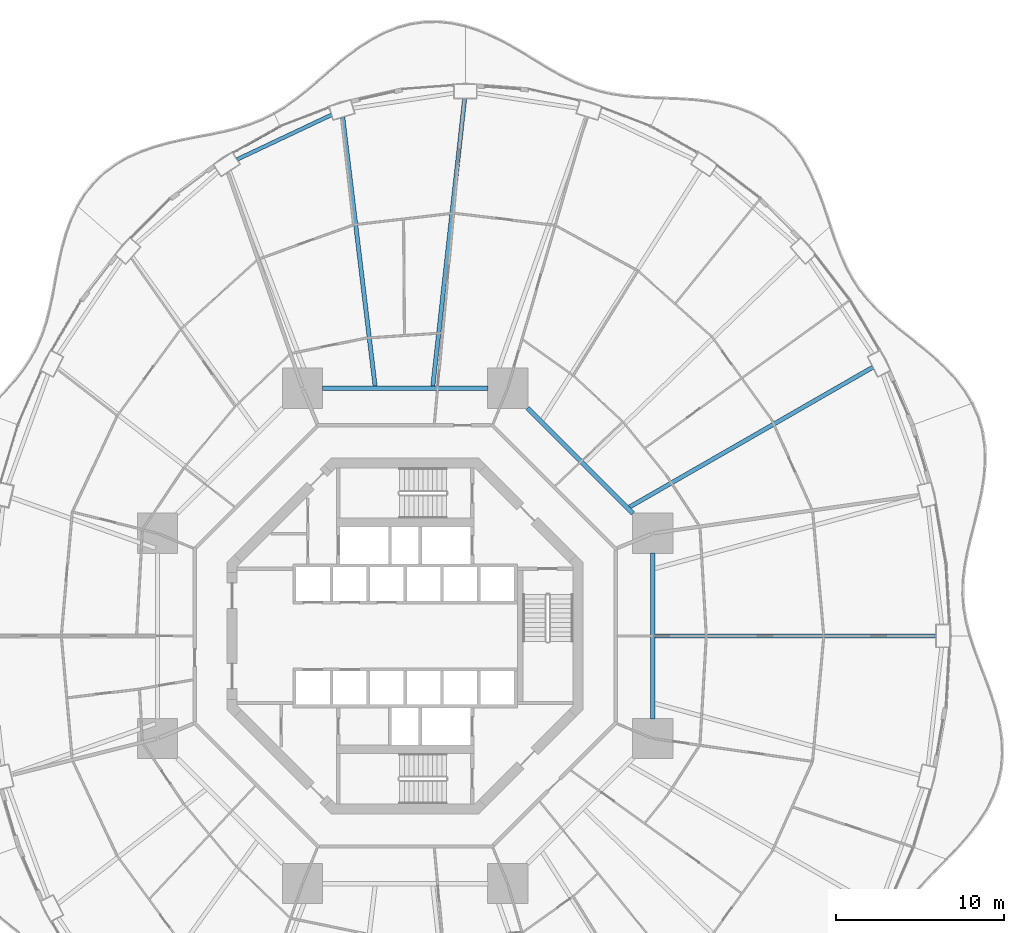
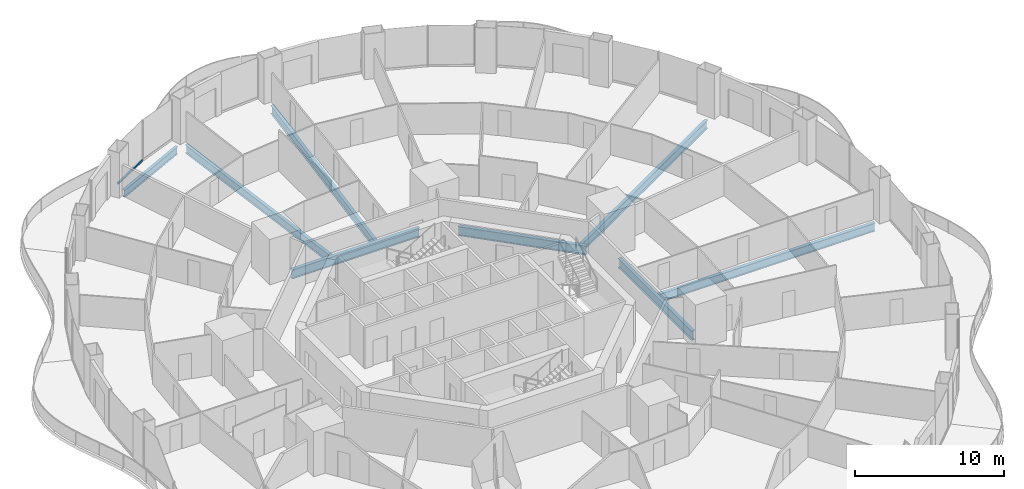
# One storey, part 8 of 22: 8 beams, 1 member, 1 element without a shape of its own.
"""IFC4 building model written with IfcOpenShell, lengths in metres."""

from ifc_helpers import new_model, si_unit, direction, frame, origin, origin_2d, place, context, subcontext, project, spatial, rectangle, i_section, extrude, material, layer, layer_set, material_profile, profile_set, type_object, element, aggregate, save


model = new_model("IFC4")

# Units and contexts
model_context = context("Model", 3, precision=1e-05, world=origin(), true_north=direction((0.0, 1.0)))
body_context = subcontext(model_context, "Body", "Model", "MODEL_VIEW")
ifc_project = project(units=[si_unit("LENGTHUNIT", "METRE"), si_unit("AREAUNIT", "SQUARE_METRE"), si_unit("VOLUMEUNIT", "CUBIC_METRE"), si_unit("PLANEANGLEUNIT", "RADIAN"), si_unit("MASSUNIT", "GRAM", prefix="KILO")], contexts=[model_context])

# Site, building, storey
site_placement = place(None, origin())
site = spatial("IfcSite", under=ifc_project, at=site_placement, CompositionType="ELEMENT")
building_placement = place(site_placement, origin())
building = spatial("IfcBuilding", under=site, at=building_placement, Name="Nagisa Residences", CompositionType="ELEMENT")
storey_placement = place(building_placement, frame((0.0, 0.0, 64.0)))
storey = spatial("IfcBuildingStorey", under=building, at=storey_placement, Name="L15", CompositionType="ELEMENT", Elevation=64.0)

# Curtain wall, member
ifc_material_1 = material(Name="Concrete-coloured aluminium curtain wall system", Category="concrete")
ifc_layer = layer(ifc_material_1, 0.159912109375)
ifc_layer_set = layer_set([ifc_layer], Name="CW1 CURTAIN WALL")
curtain_wall_type = type_object("IfcCurtainWallType", Name="CW1 CURTAIN WALL", PredefinedType="NOTDEFINED", material=ifc_layer_set)
curtain_wall_placement = place(storey_placement, origin())
curtain_wall = element("IfcCurtainWall", 1, at=curtain_wall_placement, inside=storey, type_object=curtain_wall_type, Name="cw:CW1:L15:15", PredefinedType="NOTDEFINED")
ifc_material_2 = material(Name="Concrete-coloured aluminium", Category="concrete")
ifc_material_profile_1 = material_profile(ifc_material_2, rectangle(XDim=0.1201171875, YDim=0.14990234375, at=origin_2d()), Name="CW1 TRANSOM 120x150")
ifc_profile_set_1 = profile_set([ifc_material_profile_1], Name="Concrete-coloured aluminium")
member_type = type_object("IfcMemberType", Name="CW1 TRANSOM 120x150", PredefinedType="USERDEFINED", material=ifc_profile_set_1)
member_placement = place(storey_placement, frame((-7.458740234375, 30.418212890625, 0.074951171875), z_axis=(-0.872070011948, -0.489381133946, 0.0), x_axis=(0.489381133946, -0.872070011948, 0.0)))
member = element("IfcMember", 2, at=member_placement, type_object=member_type, Name="CW1 transom", ObjectType="TRANSOM", PredefinedType="USERDEFINED", context=body_context, shape_type="SweptSolid", body=[
    extrude(rectangle(XDim=0.1201171875, YDim=0.14990234375, at=origin_2d()), origin(), (0.0, 0.0, 1.0), 3.201171875),
])
aggregate(curtain_wall, [member])

# Beams
ifc_material_3 = material(Name="Steel ASTM A572 Gr 50", Category="steel")
ifc_material_profile_2 = material_profile(ifc_material_3, i_section(OverallWidth=0.264892578125, OverallDepth=0.7529296875, WebThickness=0.01318359375, FlangeThickness=0.01708984375, at=origin_2d()), Name="W760x147")
ifc_profile_set_2 = profile_set([ifc_material_profile_2], Name="Steel ASTM A572 Gr 50")
beam_type_1 = type_object("IfcBeamType", Name="Inner ring beam W760x147", PredefinedType="BEAM", material=ifc_profile_set_2)
beam_1_placement = place(storey_placement, frame((13.59619140625, 7.308837890625, -0.636474609375), z_axis=(-0.707106781187, 0.707106781187, 0.0), x_axis=(-0.707106781187, -0.707106781187, 0.0)))
element("IfcBeam", 3, at=beam_1_placement, inside=storey, type_object=beam_type_1, Name="beam:L15:ib1", PredefinedType="BEAM", context=body_context, shape_type="SweptSolid", body=[
    extrude(i_section(OverallWidth=0.264892578125, OverallDepth=0.7529296875, WebThickness=0.01318359375, FlangeThickness=0.01708984375, at=origin_2d()), origin(), (0.0, 0.0, 1.0), 8.8916015625),
])
for number, where, z_axis, x_axis, name in (
    (4, (4.94287109375, 14.781982421875, -0.636474609375), (-1.0, 0.0, 0.0), (0.0, -1.0, 0.0), "beam:L15:ib2"),
    (5, (14.781982421875, -4.94287109375, -0.636474609375), (0.0, 1.0, 0.0), (-1.0, 0.0, 0.0), "beam:L15:ib8"),
):
    element("IfcBeam", number, at=place(storey_placement, frame(where, z_axis=z_axis, x_axis=x_axis)), inside=storey, type_object=beam_type_1, Name=name, PredefinedType="BEAM", context=body_context, shape_type="SweptSolid", body=[
        extrude(i_section(OverallWidth=0.264892578125, OverallDepth=0.7529296875, WebThickness=0.01318359375, FlangeThickness=0.01708984375, at=origin_2d()), origin(), (0.0, 0.0, 1.0), 9.8857421875),
    ])
ifc_material_4 = material(Name="Steel ASTM A572 Gr 50", Category="steel")
ifc_material_profile_3 = material_profile(ifc_material_4, i_section(OverallWidth=0.22802734375, OverallDepth=0.60302734375, WebThickness=0.010498046875, FlangeThickness=0.014892578125, at=origin_2d()), Name="W610x101")
ifc_profile_set_3 = profile_set([ifc_material_profile_3], Name="Steel ASTM A572 Gr 50")
beam_type_2 = type_object("IfcBeamType", Name="Perimeter ring beam W610x101", PredefinedType="BEAM", material=ifc_profile_set_3)
beam_2_placement = place(storey_placement, frame((-4.39794921875, 31.098876953125, -0.5615234375), z_axis=(-0.904208275867, -0.427091786216, 0.0), x_axis=(0.427091786216, -0.904208275867, 0.0)))
element("IfcBeam", 6, at=beam_2_placement, inside=storey, type_object=beam_type_2, Name="beam:L15:pb08", PredefinedType="BEAM", context=body_context, shape_type="SweptSolid", body=[
    extrude(i_section(OverallWidth=0.22802734375, OverallDepth=0.60302734375, WebThickness=0.010498046875, FlangeThickness=0.014892578125, at=origin_2d()), origin(), (0.0, 0.0, 1.0), 6.227294921875),
])
ifc_material_5 = material(Name="Steel ASTM A572 Gr 50", Category="steel")
ifc_material_profile_4 = material_profile(ifc_material_5, i_section(OverallWidth=0.25390625, OverallDepth=0.68408203125, WebThickness=0.012451171875, FlangeThickness=0.018798828125, at=origin_2d()), Name="W690x140")
ifc_profile_set_4 = profile_set([ifc_material_profile_4], Name="Steel ASTM A572 Gr 50")
beam_type_3 = type_object("IfcBeamType", Name="Radial beam W690x140", PredefinedType="BEAM", material=ifc_profile_set_4)
beam_3_placement = place(storey_placement, frame((31.669921875, 0.0, -0.60205078125), z_axis=(-1.0, 0.0, 0.0), x_axis=(0.0, -1.0, 0.0)))
element("IfcBeam", 7, at=beam_3_placement, inside=storey, type_object=beam_type_3, Name="beam:L15:rb01", PredefinedType="BEAM", context=body_context, shape_type="SweptSolid", body=[
    extrude(i_section(OverallWidth=0.25390625, OverallDepth=0.68408203125, WebThickness=0.012451171875, FlangeThickness=0.018798828125, at=origin_2d()), origin(), (0.0, 0.0, 1.0), 16.775390625),
])
beam_4_placement = place(storey_placement, frame((27.908447265625, 16.035400390625, -0.60205078125), z_axis=(-0.867068052258, -0.498189715623, 0.0), x_axis=(0.498189715623, -0.867068052258, 0.0)))
element("IfcBeam", 8, at=beam_4_placement, inside=storey, type_object=beam_type_3, Name="beam:L15:rb03", PredefinedType="BEAM", context=body_context, shape_type="SweptSolid", body=[
    extrude(i_section(OverallWidth=0.25390625, OverallDepth=0.68408203125, WebThickness=0.012451171875, FlangeThickness=0.018798828125, at=origin_2d()), origin(), (0.0, 0.0, 1.0), 16.758056640625),
])
beam_5_placement = place(storey_placement, frame((3.55224609375, 32.06982421875, -0.60205078125), z_axis=(-0.110088818647, -0.993921753464, 0.0), x_axis=(0.993921753464, -0.110088818647, 0.0)))
element("IfcBeam", 9, at=beam_5_placement, inside=storey, type_object=beam_type_3, Name="beam:L15:rb07", PredefinedType="BEAM", context=body_context, shape_type="SweptSolid", body=[
    extrude(i_section(OverallWidth=0.25390625, OverallDepth=0.68408203125, WebThickness=0.012451171875, FlangeThickness=0.018798828125, at=origin_2d()), origin(), (0.0, 0.0, 1.0), 17.280029296875),
])
beam_6_placement = place(storey_placement, frame((-3.72412109375, 30.958740234375, -0.60205078125), z_axis=(0.119431411612, -0.992842453726, 0.0), x_axis=(0.992842453726, 0.119431411612, 0.0)))
element("IfcBeam", 10, at=beam_6_placement, inside=storey, type_object=beam_type_3, Name="beam:L15:rb08", PredefinedType="BEAM", context=body_context, shape_type="SweptSolid", body=[
    extrude(i_section(OverallWidth=0.25390625, OverallDepth=0.68408203125, WebThickness=0.012451171875, FlangeThickness=0.018798828125, at=origin_2d()), origin(), (0.0, 0.0, 1.0), 16.1796875),
])

save(model, "model.ifc")
